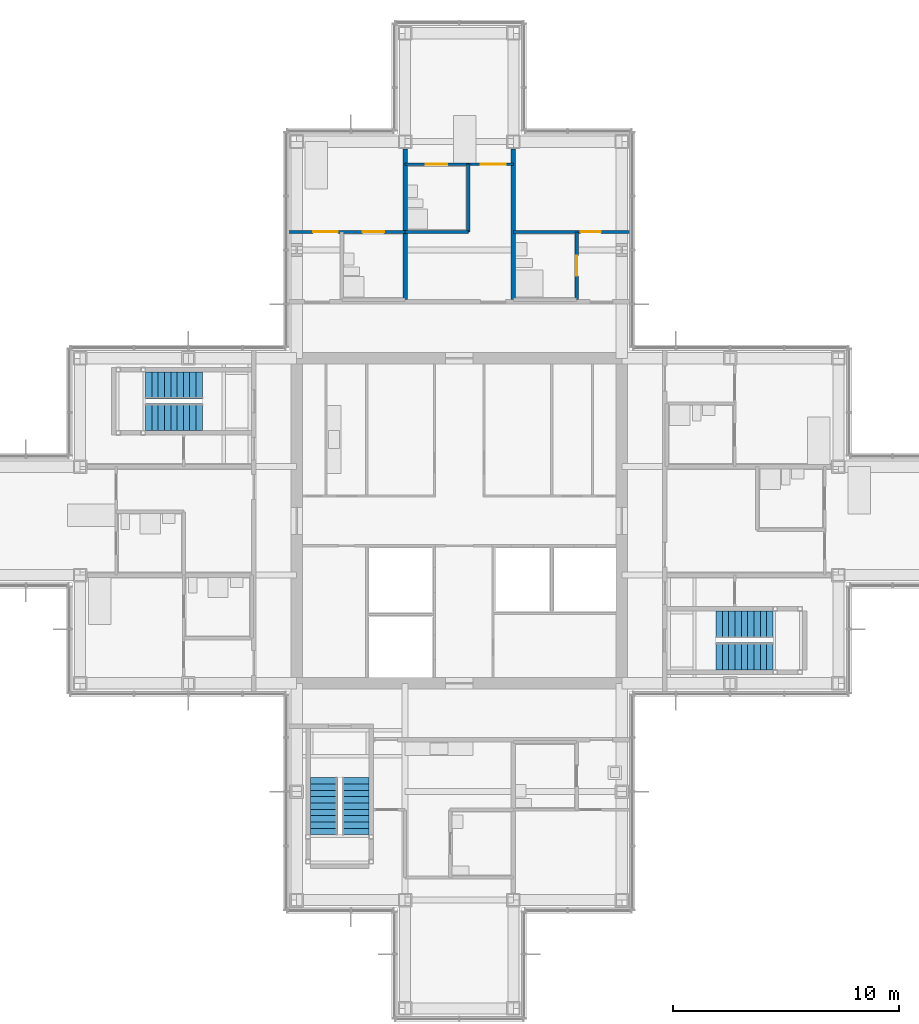
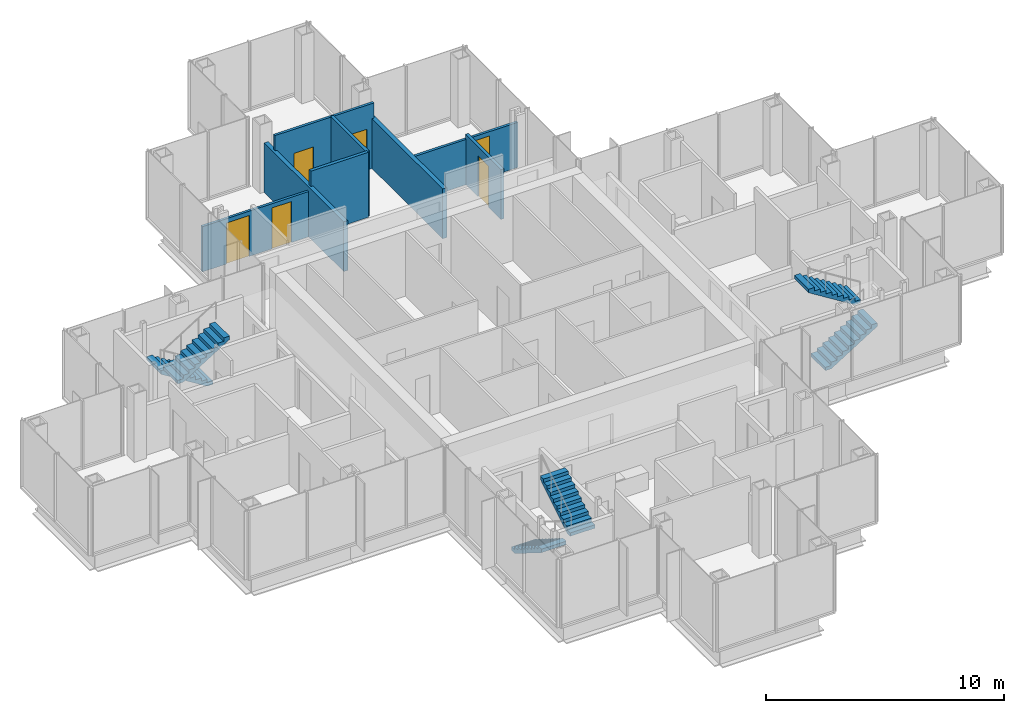
# One storey, part 14 of 17: 8 walls, 6 doors, 6 stair flights, 6 openings, 3 elements without a shape of their own.
"""IFC4 building model written with IfcOpenShell, lengths in metres."""

from ifc_helpers import new_model, si_unit, direction, frame, frame_2d, origin, place, context, subcontext, project, spatial, polyline, rectangle, outline, extrude, material, layer, layer_set, type_object, element, fill, aggregate, save


model = new_model("IFC4")

# Units and contexts
model_context = context("Model", 3, precision=1e-05, world=origin(), true_north=direction((0.0, 1.0)))
body_context = subcontext(model_context, "Body", "Model", "MODEL_VIEW")
ifc_project = project(units=[si_unit("LENGTHUNIT", "METRE"), si_unit("AREAUNIT", "SQUARE_METRE"), si_unit("VOLUMEUNIT", "CUBIC_METRE"), si_unit("PLANEANGLEUNIT", "RADIAN"), si_unit("MASSUNIT", "GRAM", prefix="KILO")], contexts=[model_context])

# Site, building, storey
site_placement = place(None, origin())
site = spatial("IfcSite", under=ifc_project, at=site_placement, CompositionType="ELEMENT")
building_placement = place(site_placement, origin())
building = spatial("IfcBuilding", under=site, at=building_placement, Name="Kvirike Care Tower", CompositionType="ELEMENT")
storey_placement = place(building_placement, frame((0.0, 0.0, 151.5)))
storey = spatial("IfcBuildingStorey", under=building, at=storey_placement, Name="L41", CompositionType="ELEMENT", Elevation=151.5)

# Wall, opening, door
ifc_material_1 = material(Name="Moisture-resistant board partition", Category="gypsum")
ifc_layer_1 = layer(ifc_material_1, 0.14990234375)
ifc_layer_set_1 = layer_set([ifc_layer_1], Name="BATHROOM WALL 150")
wall_type_1 = type_object("IfcWallType", Name="BATHROOM WALL 150", PredefinedType="PARTITIONING", material=ifc_layer_set_1)
wall_1_placement = place(storey_placement, frame((26.800048828125, 48.800048828125, 0.0), z_axis=(0.0, 0.0, 1.0), x_axis=(0.0, -1.0, 0.0)))
wall_1 = element("IfcWall", 1, at=wall_1_placement, inside=storey, type_object=wall_type_1, Name="Bathroom Wall 150 L41", PredefinedType="PARTITIONING", context=body_context, shape_type="SweptSolid", body=[
    extrude(rectangle(XDim=3.0, YDim=0.14990234375, at=frame_2d((1.5, 0.0))), origin(), (0.0, 0.0, 1.0), 2.550048828125),
])
opening_1_placement = place(wall_1_placement, frame((1.050048828125, 0.0, 0.0)))
opening_1 = element("IfcOpeningElement", 2, at=opening_1_placement, cuts=wall_1, Name="Opening 41-017", PredefinedType="OPENING", context=body_context, shape_type="SweptSolid", body=[
    extrude(rectangle(XDim=0.89990234375, YDim=2.10009765625, at=frame_2d((0.449951171875, 1.050048828125))), frame((0.0, 0.08544921875, 0.0), z_axis=(0.0, -1.0, 0.0), x_axis=(1.0, 0.0, 0.0)), (0.0, 0.0, 1.0), 0.1708984375),
])
ifc_material_2 = material(Name="Timber door set", Category="wood")
door_type_1 = type_object("IfcDoorType", Name="BATHROOM DOOR 900", OperationType="SINGLE_SWING_RIGHT", PredefinedType="DOOR", material=ifc_material_2)
door_1_placement = place(opening_1_placement, origin())
door_1 = element("IfcDoor", 3, at=door_1_placement, inside=storey, type_object=door_type_1, Name="Assisted bathroom door", OperationType="SINGLE_SWING_RIGHT", OverallHeight=2.10009765625, OverallWidth=0.89990234375, PredefinedType="DOOR", context=body_context, shape_type="SweptSolid", body=[
    extrude(rectangle(XDim=0.89990234375, YDim=2.10009765625, at=frame_2d((0.449951171875, 1.050048828125))), frame((0.0, 0.02197265625, 0.0), z_axis=(0.0, -1.0, 0.0), x_axis=(1.0, 0.0, 0.0)), (0.0, 0.0, 1.0), 0.0439453125),
])
fill(opening_1, door_1)

# Walls
wall_2_placement = place(storey_placement, frame((22.0, 51.800048828125, 0.0), z_axis=(0.0, 0.0, 1.0), x_axis=(0.0, -1.0, 0.0)))
element("IfcWall", 4, at=wall_2_placement, inside=storey, type_object=wall_type_1, Name="Bathroom Wall 150 L41", PredefinedType="PARTITIONING", context=body_context, shape_type="SweptSolid", body=[
    extrude(rectangle(XDim=3.0, YDim=0.14990234375, at=frame_2d((1.5, 0.0))), origin(), (0.0, 0.0, 1.0), 3.330078125),
])
wall_3_placement = place(storey_placement, frame((22.0, 48.800048828125, 0.0), z_axis=(0.0, 0.0, 1.0), x_axis=(-1.0, 0.0, 0.0)))
element("IfcWall", 5, at=wall_3_placement, inside=storey, type_object=wall_type_1, Name="Bathroom Wall 150 L41", PredefinedType="PARTITIONING", context=body_context, shape_type="SweptSolid", body=[
    extrude(rectangle(XDim=2.800048828125, YDim=0.14990234375, at=frame_2d((1.39990234375, 0.0))), origin(), (0.0, 0.0, 1.0), 3.330078125),
])

# Wall, opening, door
ifc_material_3 = material(Name="Plasterboard partition", Category="gypsum")
ifc_layer_2 = layer(ifc_material_3, 0.1201171875)
ifc_layer_set_2 = layer_set([ifc_layer_2], Name="PARTITION 120")
wall_type_2 = type_object("IfcWallType", Name="PARTITION 120", PredefinedType="PARTITIONING", material=ifc_layer_set_2)
wall_4_placement = place(storey_placement, frame((29.25, 48.800048828125, 0.0), z_axis=(0.0, 0.0, 1.0), x_axis=(-1.0, 0.0, 0.0)))
wall_4 = element("IfcWall", 6, at=wall_4_placement, inside=storey, type_object=wall_type_2, Name="Partition 120 L41", PredefinedType="PARTITIONING", context=body_context, shape_type="SweptSolid", body=[
    extrude(rectangle(XDim=5.25, YDim=0.1201171875, at=frame_2d((2.625, 0.0))), origin(), (0.0, 0.0, 1.0), 2.320068359375),
])
opening_2_placement = place(wall_4_placement, frame((1.375, 0.0, 0.0)))
opening_2 = element("IfcOpeningElement", 7, at=opening_2_placement, cuts=wall_4, Name="Opening 41-018", PredefinedType="OPENING", context=body_context, shape_type="SweptSolid", body=[
    extrude(rectangle(XDim=0.89990234375, YDim=2.10009765625, at=frame_2d((0.449951171875, 1.050048828125))), frame((0.0, 0.070556640625, 0.0), z_axis=(0.0, -1.0, 0.0), x_axis=(1.0, 0.0, 0.0)), (0.0, 0.0, 1.0), 0.14111328125),
])
ifc_material_4 = material(Name="Timber door set", Category="wood")
door_type_2 = type_object("IfcDoorType", Name="INTERNAL DOOR 900", OperationType="SINGLE_SWING_LEFT", PredefinedType="DOOR", material=ifc_material_4)
door_2_placement = place(opening_2_placement, origin())
door_2 = element("IfcDoor", 8, at=door_2_placement, inside=storey, type_object=door_type_2, Name="Quiet room door", OperationType="SINGLE_SWING_LEFT", OverallHeight=2.10009765625, OverallWidth=0.89990234375, PredefinedType="DOOR", context=body_context, shape_type="SweptSolid", body=[
    extrude(rectangle(XDim=0.89990234375, YDim=2.10009765625, at=frame_2d((0.449951171875, 1.050048828125))), frame((0.0, 0.02197265625, 0.0), z_axis=(0.0, -1.0, 0.0), x_axis=(1.0, 0.0, 0.0)), (0.0, 0.0, 1.0), 0.0439453125),
])
fill(opening_2, door_2)

# Wall, openings, doors
wall_5_placement = place(storey_placement, frame((24.0, 51.800048828125, 0.0), z_axis=(0.0, 0.0, 1.0), x_axis=(-1.0, 0.0, 0.0)))
wall_5 = element("IfcWall", 9, at=wall_5_placement, inside=storey, type_object=wall_type_2, Name="Partition 120 L41", PredefinedType="PARTITIONING", context=body_context, shape_type="SweptSolid", body=[
    extrude(rectangle(XDim=4.800048828125, YDim=0.1201171875, at=frame_2d((2.39990234375, 0.0))), origin(), (0.0, 0.0, 1.0), 3.330078125),
])
opening_3_placement = place(wall_5_placement, frame((0.35009765625, 0.0, 0.0)))
opening_3 = element("IfcOpeningElement", 10, at=opening_3_placement, cuts=wall_5, Name="Opening 41-019", PredefinedType="OPENING", context=body_context, shape_type="SweptSolid", body=[
    extrude(rectangle(XDim=1.10009765625, YDim=2.10009765625, at=frame_2d((0.550048828125, 1.050048828125))), frame((0.0, 0.070556640625, 0.0), z_axis=(0.0, -1.0, 0.0), x_axis=(1.0, 0.0, 0.0)), (0.0, 0.0, 1.0), 0.14111328125),
])
opening_4_placement = place(wall_5_placement, frame((2.925048828125, 0.0, 0.0)))
opening_4 = element("IfcOpeningElement", 11, at=opening_4_placement, cuts=wall_5, Name="Opening 41-020", PredefinedType="OPENING", context=body_context, shape_type="SweptSolid", body=[
    extrude(rectangle(XDim=0.949951171875, YDim=2.10009765625, at=frame_2d((0.47509765625, 1.050048828125))), frame((0.0, 0.070556640625, 0.0), z_axis=(0.0, -1.0, 0.0), x_axis=(1.0, 0.0, 0.0)), (0.0, 0.0, 1.0), 0.14111328125),
])
ifc_material_5 = material(Name="Timber door set", Category="wood")
door_type_3 = type_object("IfcDoorType", Name="BEDROOM DOOR 1100", OperationType="SINGLE_SWING_LEFT", PredefinedType="DOOR", material=ifc_material_5)
door_3_placement = place(opening_3_placement, origin())
door_3 = element("IfcDoor", 12, at=door_3_placement, inside=storey, type_object=door_type_3, Name="Memory care bedroom door", OperationType="SINGLE_SWING_RIGHT", OverallHeight=2.10009765625, OverallWidth=1.10009765625, PredefinedType="DOOR", context=body_context, shape_type="SweptSolid", body=[
    extrude(rectangle(XDim=1.10009765625, YDim=2.10009765625, at=frame_2d((0.550048828125, 1.050048828125))), frame((0.0, 0.02197265625, 0.0), z_axis=(0.0, -1.0, 0.0), x_axis=(1.0, 0.0, 0.0)), (0.0, 0.0, 1.0), 0.0439453125),
])
fill(opening_3, door_3)
ifc_material_6 = material(Name="Timber door set", Category="wood")
door_type_4 = type_object("IfcDoorType", Name="EN-SUITE SLIDING DOOR 950", OperationType="SLIDING_TO_LEFT", PredefinedType="DOOR", material=ifc_material_6)
door_4_placement = place(opening_4_placement, origin())
door_4 = element("IfcDoor", 13, at=door_4_placement, inside=storey, type_object=door_type_4, Name="En-suite door", OperationType="SLIDING_TO_LEFT", OverallHeight=2.10009765625, OverallWidth=0.949951171875, PredefinedType="DOOR", context=body_context, shape_type="SweptSolid", body=[
    extrude(rectangle(XDim=0.949951171875, YDim=2.10009765625, at=frame_2d((0.47509765625, 1.050048828125))), frame((0.0, 0.02197265625, 0.0), z_axis=(0.0, -1.0, 0.0), x_axis=(1.0, 0.0, 0.0)), (0.0, 0.0, 1.0), 0.0439453125),
])
fill(opening_4, door_4)

wall_6_placement = place(storey_placement, frame((19.199951171875, 48.800048828125, 0.0), z_axis=(0.0, 0.0, 1.0), x_axis=(-1.0, 0.0, 0.0)))
wall_6 = element("IfcWall", 14, at=wall_6_placement, inside=storey, type_object=wall_type_2, Name="Partition 120 L41", PredefinedType="PARTITIONING", context=body_context, shape_type="SweptSolid", body=[
    extrude(rectangle(XDim=5.25, YDim=0.1201171875, at=frame_2d((2.625, 0.0))), origin(), (0.0, 0.0, 1.0), 2.320068359375),
])
opening_5_placement = place(wall_6_placement, frame((2.97509765625, 0.0, 0.0)))
opening_5 = element("IfcOpeningElement", 15, at=opening_5_placement, cuts=wall_6, Name="Opening 41-021", PredefinedType="OPENING", context=body_context, shape_type="SweptSolid", body=[
    extrude(rectangle(XDim=1.10009765625, YDim=2.10009765625, at=frame_2d((0.550048828125, 1.050048828125))), frame((0.0, 0.070556640625, 0.0), z_axis=(0.0, -1.0, 0.0), x_axis=(1.0, 0.0, 0.0)), (0.0, 0.0, 1.0), 0.14111328125),
])
opening_6_placement = place(wall_6_placement, frame((0.925048828125, 0.0, 0.0)))
opening_6 = element("IfcOpeningElement", 16, at=opening_6_placement, cuts=wall_6, Name="Opening 41-022", PredefinedType="OPENING", context=body_context, shape_type="SweptSolid", body=[
    extrude(rectangle(XDim=0.949951171875, YDim=2.10009765625, at=frame_2d((0.47509765625, 1.050048828125))), frame((0.0, 0.070556640625, 0.0), z_axis=(0.0, -1.0, 0.0), x_axis=(1.0, 0.0, 0.0)), (0.0, 0.0, 1.0), 0.14111328125),
])
door_5_placement = place(opening_5_placement, origin())
door_5 = element("IfcDoor", 17, at=door_5_placement, inside=storey, type_object=door_type_3, Name="Memory care bedroom door", OperationType="SINGLE_SWING_RIGHT", OverallHeight=2.10009765625, OverallWidth=1.10009765625, PredefinedType="DOOR", context=body_context, shape_type="SweptSolid", body=[
    extrude(rectangle(XDim=1.10009765625, YDim=2.10009765625, at=frame_2d((0.550048828125, 1.050048828125))), frame((0.0, 0.02197265625, 0.0), z_axis=(0.0, -1.0, 0.0), x_axis=(1.0, 0.0, 0.0)), (0.0, 0.0, 1.0), 0.0439453125),
])
fill(opening_5, door_5)
door_6_placement = place(opening_6_placement, origin())
door_6 = element("IfcDoor", 18, at=door_6_placement, inside=storey, type_object=door_type_4, Name="En-suite door", OperationType="SLIDING_TO_LEFT", OverallHeight=2.10009765625, OverallWidth=0.949951171875, PredefinedType="DOOR", context=body_context, shape_type="SweptSolid", body=[
    extrude(rectangle(XDim=0.949951171875, YDim=2.10009765625, at=frame_2d((0.47509765625, 1.050048828125))), frame((0.0, 0.02197265625, 0.0), z_axis=(0.0, -1.0, 0.0), x_axis=(1.0, 0.0, 0.0)), (0.0, 0.0, 1.0), 0.0439453125),
])
fill(opening_6, door_6)

# Walls
ifc_material_7 = material(Name="Plasterboard party wall", Category="gypsum")
ifc_layer_3 = layer(ifc_material_7, 0.199951171875)
ifc_layer_set_3 = layer_set([ifc_layer_3], Name="PARTY WALL 200")
wall_type_3 = type_object("IfcWallType", Name="PARTY WALL 200", PredefinedType="PARTITIONING", material=ifc_layer_set_3)
for number, where, z_axis, x_axis, name in (
    (19, (24.0, 52.47998046875, 0.0), (0.0, 0.0, 1.0), (0.0, -1.0, 0.0), "Party Wall 200 L41"),
    (20, (19.199951171875, 52.47998046875, 0.0), (0.0, 0.0, 1.0), (0.0, -1.0, 0.0), "Party Wall 200 L41"),
):
    element("IfcWall", number, at=place(storey_placement, frame(where, z_axis=z_axis, x_axis=x_axis)), inside=storey, type_object=wall_type_3, Name=name, PredefinedType="PARTITIONING", context=body_context, shape_type="SweptSolid", body=[
        extrude(rectangle(XDim=6.679931640625, YDim=0.199951171875, at=frame_2d((3.33984375, 0.0))), origin(), (0.0, 0.0, 1.0), 2.550048828125),
    ])

# Stair, stair flights
ifc_material_8 = material(Name="Concrete C35/45", Category="concrete")
stair_type = type_object("IfcStairType", Name="STAIR 20 RISERS", PredefinedType="HALF_TURN_STAIR", material=ifc_material_8)
stair_1_placement = place(storey_placement, origin())
stair_1 = element("IfcStair", 21, at=stair_1_placement, inside=storey, type_object=stair_type, Name="Stair 1 L41", PredefinedType="HALF_TURN_STAIR")
ifc_material_9 = material(Name="Concrete C35/45", Category="concrete")
stair_flight_type = type_object("IfcStairFlightType", Name="FLIGHT 10 RISERS", PredefinedType="STRAIGHT", material=ifc_material_9)
stair_flight_1_placement = place(storey_placement, frame((10.219970703125, 42.0, 0.0), z_axis=(0.0, 0.0, 1.0), x_axis=(-1.0, 0.0, 0.0)))
stair_flight_1 = element("IfcStairFlight", 22, at=stair_flight_1_placement, type_object=stair_flight_type, Name="Stair S1 flight 1 L41-L42", NumberOfRisers=10, NumberOfTreads=9, PredefinedType="STRAIGHT", RiserHeight=0.175, TreadLength=0.28, context=body_context, shape_type="SweptSolid", body=[
    extrude(outline(polyline([(0.0, 0.0), (0.0, 0.175048828125), (0.280029296875, 0.175048828125), (0.280029296875, 0.35009765625), (0.56005859375, 0.35009765625), (0.56005859375, 0.52490234375), (0.840087890625, 0.52490234375), (0.840087890625, 0.699951171875), (1.1201171875, 0.699951171875), (1.1201171875, 0.875), (1.39990234375, 0.875), (1.39990234375, 1.050048828125), (1.679931640625, 1.050048828125), (1.679931640625, 1.22509765625), (1.9599609375, 1.22509765625), (1.9599609375, 1.39990234375), (2.239990234375, 1.39990234375), (2.239990234375, 1.574951171875), (2.52001953125, 1.574951171875), (2.52001953125, 1.75), (2.52001953125, 1.398193359375), (0.28271484375, 0.0), (0.0, 0.0)])), frame((0.0, 0.60009765625, 0.0), z_axis=(0.0, -1.0, 0.0), x_axis=(1.0, 0.0, 0.0)), (0.0, 0.0, 1.0), 1.199951171875),
])
stair_flight_2_placement = place(storey_placement, frame((7.699951171875, 40.60009765625, 1.75), z_axis=(0.0, 0.0, 1.0), x_axis=(1.0, 0.0, 0.0)))
stair_flight_2 = element("IfcStairFlight", 23, at=stair_flight_2_placement, type_object=stair_flight_type, Name="Stair S1 flight 2 L41-L42", NumberOfRisers=10, NumberOfTreads=9, PredefinedType="STRAIGHT", RiserHeight=0.175, TreadLength=0.28, context=body_context, shape_type="SweptSolid", body=[
    extrude(outline(polyline([(0.0, 0.0), (0.0, 0.175048828125), (0.280029296875, 0.175048828125), (0.280029296875, 0.35009765625), (0.56005859375, 0.35009765625), (0.56005859375, 0.52490234375), (0.840087890625, 0.52490234375), (0.840087890625, 0.699951171875), (1.1201171875, 0.699951171875), (1.1201171875, 0.875), (1.39990234375, 0.875), (1.39990234375, 1.050048828125), (1.679931640625, 1.050048828125), (1.679931640625, 1.22509765625), (1.9599609375, 1.22509765625), (1.9599609375, 1.39990234375), (2.239990234375, 1.39990234375), (2.239990234375, 1.574951171875), (2.52001953125, 1.574951171875), (2.52001953125, 1.75), (2.52001953125, 1.398193359375), (0.28271484375, 0.0), (0.0, 0.0)])), frame((0.0, 0.60009765625, 0.0), z_axis=(0.0, -1.0, 0.0), x_axis=(1.0, 0.0, 0.0)), (0.0, 0.0, 1.0), 1.199951171875),
])
aggregate(stair_1, [stair_flight_1, stair_flight_2])

stair_2_placement = place(storey_placement, origin())
stair_2 = element("IfcStair", 24, at=stair_2_placement, inside=storey, type_object=stair_type, Name="Stair 2 L41", PredefinedType="HALF_TURN_STAIR")
stair_flight_3_placement = place(storey_placement, frame((32.97998046875, 30.0, 0.0), z_axis=(0.0, 0.0, 1.0), x_axis=(1.0, 0.0, 0.0)))
stair_flight_3 = element("IfcStairFlight", 25, at=stair_flight_3_placement, type_object=stair_flight_type, Name="Stair S2 flight 1 L41-L42", NumberOfRisers=10, NumberOfTreads=9, PredefinedType="STRAIGHT", RiserHeight=0.175, TreadLength=0.28, context=body_context, shape_type="SweptSolid", body=[
    extrude(outline(polyline([(0.0, 0.0), (0.0, 0.175048828125), (0.280029296875, 0.175048828125), (0.280029296875, 0.35009765625), (0.56005859375, 0.35009765625), (0.56005859375, 0.52490234375), (0.840087890625, 0.52490234375), (0.840087890625, 0.699951171875), (1.1201171875, 0.699951171875), (1.1201171875, 0.875), (1.39990234375, 0.875), (1.39990234375, 1.050048828125), (1.679931640625, 1.050048828125), (1.679931640625, 1.22509765625), (1.9599609375, 1.22509765625), (1.9599609375, 1.39990234375), (2.239990234375, 1.39990234375), (2.239990234375, 1.574951171875), (2.52001953125, 1.574951171875), (2.52001953125, 1.75), (2.52001953125, 1.398193359375), (0.28271484375, 0.0), (0.0, 0.0)])), frame((0.0, 0.60009765625, 0.0), z_axis=(0.0, -1.0, 0.0), x_axis=(1.0, 0.0, 0.0)), (0.0, 0.0, 1.0), 1.199951171875),
])
stair_flight_4_placement = place(storey_placement, frame((35.5, 31.39990234375, 1.75), z_axis=(0.0, 0.0, 1.0), x_axis=(-1.0, 0.0, 0.0)))
stair_flight_4 = element("IfcStairFlight", 26, at=stair_flight_4_placement, type_object=stair_flight_type, Name="Stair S2 flight 2 L41-L42", NumberOfRisers=10, NumberOfTreads=9, PredefinedType="STRAIGHT", RiserHeight=0.175, TreadLength=0.28, context=body_context, shape_type="SweptSolid", body=[
    extrude(outline(polyline([(0.0, 0.0), (0.0, 0.175048828125), (0.280029296875, 0.175048828125), (0.280029296875, 0.35009765625), (0.56005859375, 0.35009765625), (0.56005859375, 0.52490234375), (0.840087890625, 0.52490234375), (0.840087890625, 0.699951171875), (1.1201171875, 0.699951171875), (1.1201171875, 0.875), (1.39990234375, 0.875), (1.39990234375, 1.050048828125), (1.679931640625, 1.050048828125), (1.679931640625, 1.22509765625), (1.9599609375, 1.22509765625), (1.9599609375, 1.39990234375), (2.239990234375, 1.39990234375), (2.239990234375, 1.574951171875), (2.52001953125, 1.574951171875), (2.52001953125, 1.75), (2.52001953125, 1.398193359375), (0.28271484375, 0.0), (0.0, 0.0)])), frame((0.0, 0.60009765625, 0.0), z_axis=(0.0, -1.0, 0.0), x_axis=(1.0, 0.0, 0.0)), (0.0, 0.0, 1.0), 1.199951171875),
])
aggregate(stair_2, [stair_flight_3, stair_flight_4])

stair_3_placement = place(storey_placement, origin())
stair_3 = element("IfcStair", 27, at=stair_3_placement, inside=storey, type_object=stair_type, Name="Stair 5 L41", PredefinedType="HALF_TURN_STAIR")
stair_flight_5_placement = place(storey_placement, frame((15.60009765625, 24.6201171875, 0.0), z_axis=(0.0, 0.0, 1.0), x_axis=(0.0, -1.0, 0.0)))
stair_flight_5 = element("IfcStairFlight", 28, at=stair_flight_5_placement, type_object=stair_flight_type, Name="Stair S5 flight 1 L41-L42", NumberOfRisers=10, NumberOfTreads=9, PredefinedType="STRAIGHT", RiserHeight=0.175, TreadLength=0.28, context=body_context, shape_type="SweptSolid", body=[
    extrude(outline(polyline([(0.0, 0.0), (0.0, 0.175048828125), (0.280029296875, 0.175048828125), (0.280029296875, 0.35009765625), (0.56005859375, 0.35009765625), (0.56005859375, 0.52490234375), (0.840087890625, 0.52490234375), (0.840087890625, 0.699951171875), (1.1201171875, 0.699951171875), (1.1201171875, 0.875), (1.39990234375, 0.875), (1.39990234375, 1.050048828125), (1.679931640625, 1.050048828125), (1.679931640625, 1.22509765625), (1.9599609375, 1.22509765625), (1.9599609375, 1.39990234375), (2.239990234375, 1.39990234375), (2.239990234375, 1.574951171875), (2.52001953125, 1.574951171875), (2.52001953125, 1.75), (2.52001953125, 1.398193359375), (0.28271484375, 0.0), (0.0, 0.0)])), frame((0.0, 0.60009765625, 0.0), z_axis=(0.0, -1.0, 0.0), x_axis=(1.0, 0.0, 0.0)), (0.0, 0.0, 1.0), 1.199951171875),
])
stair_flight_6_placement = place(storey_placement, frame((17.0, 22.10009765625, 1.75), z_axis=(0.0, 0.0, 1.0), x_axis=(0.0, 1.0, 0.0)))
stair_flight_6 = element("IfcStairFlight", 29, at=stair_flight_6_placement, type_object=stair_flight_type, Name="Stair S5 flight 2 L41-L42", NumberOfRisers=10, NumberOfTreads=9, PredefinedType="STRAIGHT", RiserHeight=0.175, TreadLength=0.28, context=body_context, shape_type="SweptSolid", body=[
    extrude(outline(polyline([(0.0, 0.0), (0.0, 0.175048828125), (0.280029296875, 0.175048828125), (0.280029296875, 0.35009765625), (0.56005859375, 0.35009765625), (0.56005859375, 0.52490234375), (0.840087890625, 0.52490234375), (0.840087890625, 0.699951171875), (1.1201171875, 0.699951171875), (1.1201171875, 0.875), (1.39990234375, 0.875), (1.39990234375, 1.050048828125), (1.679931640625, 1.050048828125), (1.679931640625, 1.22509765625), (1.9599609375, 1.22509765625), (1.9599609375, 1.39990234375), (2.239990234375, 1.39990234375), (2.239990234375, 1.574951171875), (2.52001953125, 1.574951171875), (2.52001953125, 1.75), (2.52001953125, 1.398193359375), (0.28271484375, 0.0), (0.0, 0.0)])), frame((0.0, 0.60009765625, 0.0), z_axis=(0.0, -1.0, 0.0), x_axis=(1.0, 0.0, 0.0)), (0.0, 0.0, 1.0), 1.199951171875),
])
aggregate(stair_3, [stair_flight_5, stair_flight_6])

save(model, "model.ifc")
